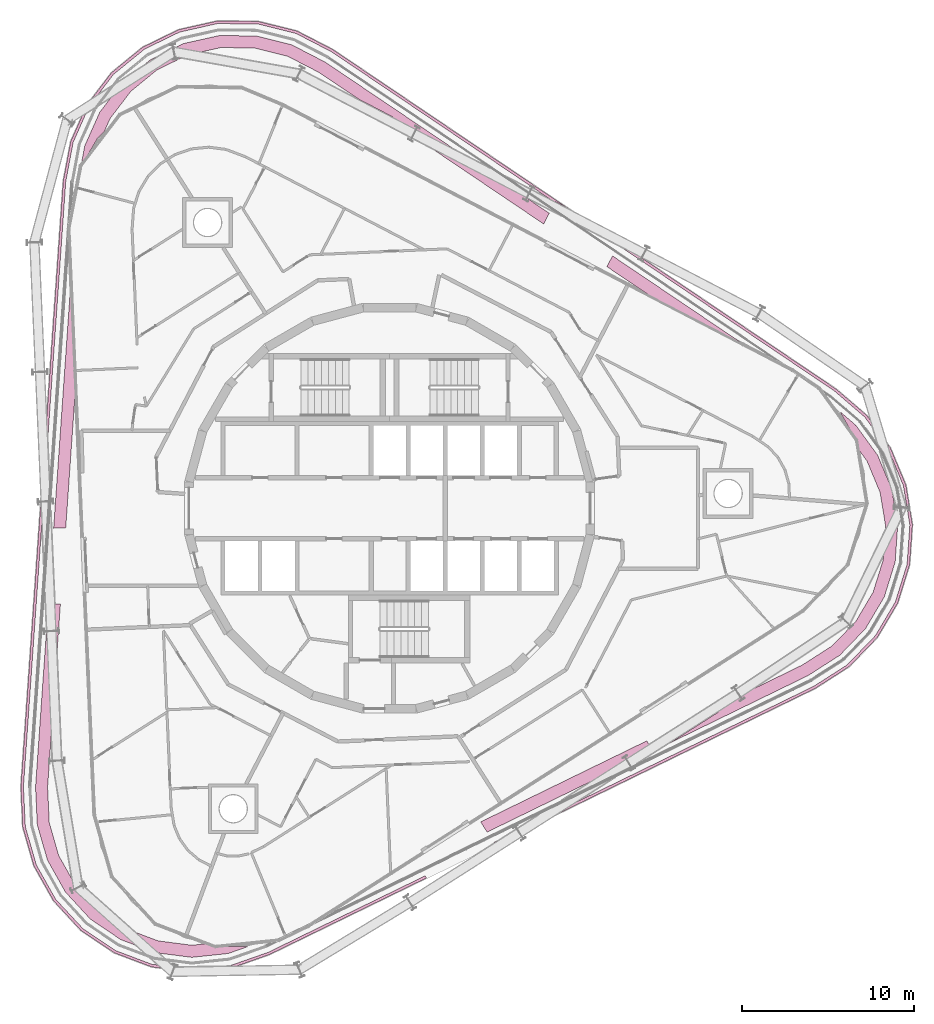
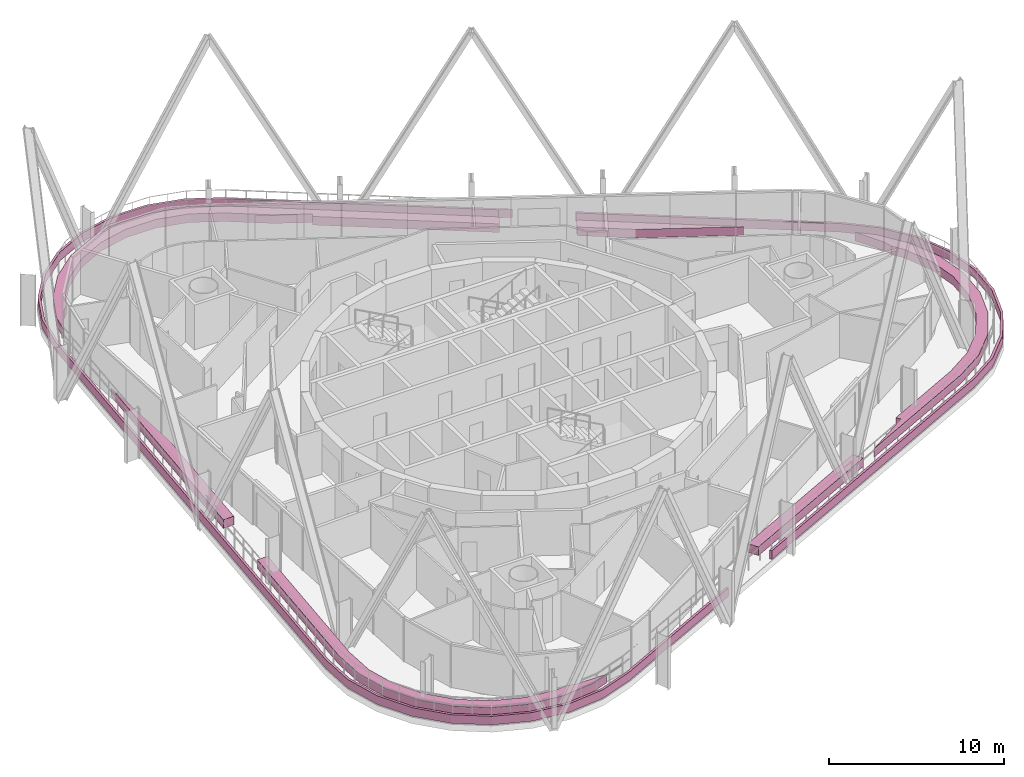
# One storey, part 20 of 20: 8 furniture elements.
"""IFC4 building model written with IfcOpenShell, lengths in metres."""

import ifcopenshell
import ifcopenshell.guid

model = None  # the IFC model being written
_history = None  # IfcOwnerHistory: only IFC2X3 demands one
_inside = {}  # id of a spatial element -> (the spatial element, [elements in it])
_under = {}  # id of a project, library or spatial element -> (it, [spatial elements below it])
_declared = {}  # id of a project -> (the project, [libraries it declares])
_typed = {}  # id of a type object -> (the type object, [elements of that type])
_made_of = {}  # id of a material, layer set ... -> (it, [elements and type objects made of it])


def new_model(schema):
    """Start an empty IFC model of exactly this schema.

    Asked for "IFC4X3", IfcOpenShell would pick the latest addendum, in which some entities
    have other attributes; the version numbers below select the first issue.
    IFC2X3 requires an IfcOwnerHistory on every rooted entity: one is made here for all.
    """
    global model, _history
    if schema == "IFC4X3":
        model = ifcopenshell.file(schema_version=(4, 3, 0, 0))
    else:
        model = ifcopenshell.file(schema=schema)
    _inside.clear()
    _under.clear()
    _declared.clear()
    _typed.clear()
    _made_of.clear()
    _history = None
    if model.schema == "IFC2X3":
        org = make("IfcOrganization", Name="unknown")
        user = make(
            "IfcPersonAndOrganization",
            ThePerson=make("IfcPerson", FamilyName="unknown"),
            TheOrganization=org,
        )
        app = make(
            "IfcApplication",
            ApplicationDeveloper=org,
            Version="unknown",
            ApplicationFullName="unknown",
            ApplicationIdentifier="unknown",
        )
        _history = make(
            "IfcOwnerHistory",
            OwningUser=user,
            OwningApplication=app,
            ChangeAction="ADDED",
            CreationDate=0,
        )
    return model


def make(cls, **values):
    """One entity of the class cls with the attributes given. An attribute that is None is left unset."""
    return model.create_entity(
        cls, **{name: value for name, value in values.items() if value is not None}
    )


def rooted(cls, **values):
    """An entity with a GlobalId (a new one), such as an element, a storey or a relation."""
    return make(cls, GlobalId=ifcopenshell.guid.new(), OwnerHistory=_history, **values)


def si_unit(unit_type, name, prefix=None):
    """IfcSIUnit, for example si_unit("LENGTHUNIT", "METRE", prefix="MILLI")."""
    return make("IfcSIUnit", UnitType=unit_type, Prefix=prefix, Name=name)


def assignment(units):
    """IfcUnitAssignment: the units of a project."""
    return None if units is None else make("IfcUnitAssignment", Units=units)


def point(xyz):
    """IfcCartesianPoint."""
    return None if xyz is None else make("IfcCartesianPoint", Coordinates=xyz)


def direction(xyz):
    """IfcDirection."""
    return None if xyz is None else make("IfcDirection", DirectionRatios=xyz)


def frame(location, z_axis=None, x_axis=None):
    """IfcAxis2Placement3D, a coordinate frame: its origin and axes. An axis left out is left unset."""
    return make(
        "IfcAxis2Placement3D",
        Location=point(location),
        Axis=direction(z_axis),
        RefDirection=direction(x_axis),
    )


def origin():
    """The frame at (0, 0, 0) with its axes left unset."""
    return frame((0.0, 0.0, 0.0))


def place(relative_to, where):
    """IfcLocalPlacement: puts the frame where relative to a parent placement (None: the world)."""
    return make(
        "IfcLocalPlacement", PlacementRelTo=relative_to, RelativePlacement=where
    )


def context(
    kind, dimensions, precision=None, world=None, true_north=None, identifier=None
):
    """IfcGeometricRepresentationContext, for example the 3D "Model" context."""
    return make(
        "IfcGeometricRepresentationContext",
        ContextIdentifier=identifier,
        ContextType=kind,
        CoordinateSpaceDimension=dimensions,
        Precision=precision,
        WorldCoordinateSystem=world,
        TrueNorth=true_north,
    )


def subcontext(parent, identifier, kind, view, scale=None):
    """IfcGeometricRepresentationSubContext, for example "Body" below "Model"."""
    return make(
        "IfcGeometricRepresentationSubContext",
        ContextIdentifier=identifier,
        ContextType=kind,
        ParentContext=parent,
        TargetScale=scale,
        TargetView=view,
    )


def project(units=None, contexts=None):
    """IfcProject with its units and contexts."""
    return rooted(
        "IfcProject",
        Name="project",
        RepresentationContexts=contexts,
        UnitsInContext=assignment(units),
    )


def spatial(cls, under=None, at=None, **own):
    """A site, building, storey or space (cls), placed at a placement, below another one or the project."""
    s = rooted(cls, ObjectPlacement=at, **own)
    if under is not None:
        _under.setdefault(under.id(), (under, []))[1].append(s)
    return s


def polyline(points):
    """IfcPolyline through the points."""
    return make("IfcPolyline", Points=[point(p) for p in points])


def outline(outer, holes=None, kind="AREA"):
    """IfcArbitraryClosedProfileDef: a profile drawn as a closed curve; with holes, ...WithVoids."""
    if holes is None:
        return make("IfcArbitraryClosedProfileDef", ProfileType=kind, OuterCurve=outer)
    return make(
        "IfcArbitraryProfileDefWithVoids",
        ProfileType=kind,
        OuterCurve=outer,
        InnerCurves=holes,
    )


def extrude(swept, where, along, depth):
    """IfcExtrudedAreaSolid: the profile swept, set in the frame where, extruded along a direction by depth."""
    return make(
        "IfcExtrudedAreaSolid",
        SweptArea=swept,
        Position=where,
        ExtrudedDirection=direction(along),
        Depth=depth,
    )


def shape(context_of_items, identifier, shape_type, items):
    """IfcShapeRepresentation: the items that make up one representation, for example the "Body"."""
    return make(
        "IfcShapeRepresentation",
        ContextOfItems=context_of_items,
        RepresentationIdentifier=identifier,
        RepresentationType=shape_type,
        Items=items,
    )


def made_of(thing, what):
    """Note that an element or type object is made of a material, layer set ...; save() writes the relation."""
    if what is not None:
        _made_of.setdefault(what.id(), (what, []))[1].append(thing)
    return thing


def element(
    cls,
    number,
    at=None,
    inside=None,
    cuts=None,
    type_object=None,
    material=None,
    context=None,
    identifier="Body",
    shape_type=None,
    held_by="IfcProductDefinitionShape",
    body=None,
    shapes=None,
    **own,
):
    """One element of the class cls, such as IfcWall. Its Tag is "e" and its number.

    at: its placement. inside: the storey or other place that contains it. cuts: it is an
    opening in that element (IfcRelVoidsElement). A single representation is given by context,
    identifier, shape_type and body (its items); several are given by shapes. held_by: the class
    of the entity that holds the representations. save() writes the other relations.
    """
    e = rooted(cls, Tag="e%d" % number, ObjectPlacement=at, **own)
    if body is not None:
        shapes = [shape(context, identifier, shape_type, body)]
    if shapes is not None:
        e.Representation = make(held_by, Representations=shapes)
    if inside is not None:
        _inside.setdefault(inside.id(), (inside, []))[1].append(e)
    if cuts is not None:
        rooted(
            "IfcRelVoidsElement", RelatingBuildingElement=cuts, RelatedOpeningElement=e
        )
    if type_object is not None:
        _typed.setdefault(type_object.id(), (type_object, []))[1].append(e)
    return made_of(e, material)


def aggregate(whole, parts):
    """IfcRelAggregates: a whole, such as a stair, and the parts it consists of."""
    return rooted("IfcRelAggregates", RelatingObject=whole, RelatedObjects=parts)


def save(model, path):
    """Write the relations noted so far, then the file.

    IfcRelAggregates (storeys below a building ...), IfcRelContainedInSpatialStructure (elements
    in a storey), IfcRelDefinesByType, IfcRelAssociatesMaterial and IfcRelDeclares: one each for
    every whole, place, type object, material and project.
    """
    for whole, parts in _under.values():
        aggregate(whole, parts)
    for where, things in _inside.values():
        rooted(
            "IfcRelContainedInSpatialStructure",
            RelatedElements=things,
            RelatingStructure=where,
        )
    for kind, things in _typed.values():
        rooted("IfcRelDefinesByType", RelatedObjects=things, RelatingType=kind)
    for what, things in _made_of.values():
        rooted("IfcRelAssociatesMaterial", RelatedObjects=things, RelatingMaterial=what)
    for by, libraries in _declared.values():
        rooted("IfcRelDeclares", RelatingContext=by, RelatedDefinitions=libraries)
    model.write(path)


model = new_model("IFC4")

# Units and contexts
model_context = context("Model", 3, precision=1e-05, world=origin(), true_north=direction((0.0, 1.0)))
body_context = subcontext(model_context, "Body", "Model", "MODEL_VIEW")
ifc_project = project(units=[si_unit("LENGTHUNIT", "METRE"), si_unit("AREAUNIT", "SQUARE_METRE"), si_unit("VOLUMEUNIT", "CUBIC_METRE"), si_unit("PLANEANGLEUNIT", "RADIAN"), si_unit("MASSUNIT", "GRAM", prefix="KILO")], contexts=[model_context])

# Site, building, storey
site_placement = place(None, origin())
site = spatial("IfcSite", under=ifc_project, at=site_placement, CompositionType="ELEMENT")
building_placement = place(site_placement, origin())
building = spatial("IfcBuilding", under=site, at=building_placement, Name="Spindle Arch Residences", CompositionType="ELEMENT")
storey_placement = place(building_placement, frame((0.0, 0.0, 226.699951171875)))
storey = spatial("IfcBuildingStorey", under=building, at=storey_placement, Name="L57", CompositionType="ELEMENT", Elevation=226.699951171875)

# Furniture
furniture_1_placement = place(storey_placement, frame((0.0, 0.0, 0.030029296875)))
element("IfcFurniture", 1, at=furniture_1_placement, inside=storey, Name="PLANTER L56 1", ObjectType="PLANTER", PredefinedType="USERDEFINED", context=body_context, shape_type="SweptSolid", body=[
    extrude(outline(polyline([(-11.5029296875, -26.929443359375), (-13.817138671875, -26.631591796875), (-16.00048828125, -25.80810546875), (-17.93505859375, -24.503173828125), (-19.516357421875, -22.78759765625), (-20.659423828125, -20.753173828125), (-21.302734375, -18.51025390625), (-21.411376953125, -16.176513671875), (-18.95166015625, 18.9990234375), (-18.519287109375, 21.294921875), (-17.570068359375, 23.426513671875), (-16.155029296875, 25.281982421875), (-14.35009765625, 26.760986328125), (-12.2529296875, 27.78369140625), (-9.976318359375, 28.29541015625), (-7.64306640625, 28.268310546875), (-5.379150390625, 27.703857421875), (-3.3037109375, 26.631103515625), (10.334228515625, 17.43212890625), (9.6181640625, 17.804931640625), (9.5908203125, 17.752685546875), (-3.36572265625, 26.491943359375), (-5.430419921875, 27.55908203125), (-7.62548828125, 28.109130859375), (-10.00048828125, 28.13623046875), (-12.204833984375, 27.637939453125), (-14.23193359375, 26.651611328125), (-16.04248046875, 25.17724609375), (-17.45556640625, 23.314697265625), (-18.37353515625, 21.246337890625), (-18.803955078125, 18.95947265625), (-21.259765625, -16.157958984375), (-21.151611328125, -18.482421875), (-20.5166015625, -20.69677734375), (-19.390380859375, -22.69970703125), (-17.802734375, -24.41162109375), (-15.927490234375, -25.673095703125), (-13.819091796875, -26.470703125), (-11.504150390625, -26.77587890625), (-9.21875, -26.536376953125), (-7.05224609375, -25.779052734375), (2.057373046875, -21.33837890625), (2.138427734375, -21.4658203125), (-6.977783203125, -25.912109375), (-9.182373046875, -26.685546875), (-11.5029296875, -26.929443359375)])), origin(), (0.0, 0.0, 1.0), 0.60009765625),
])
furniture_2_placement = place(storey_placement, frame((0.0, 0.0, 0.030029296875)))
element("IfcFurniture", 2, at=furniture_2_placement, inside=storey, Name="PLANTER L56 2", ObjectType="PLANTER", PredefinedType="USERDEFINED", context=body_context, shape_type="SweptSolid", body=[
    extrude(outline(polyline([(25.929443359375, 6.9130859375), (27.701416015625, 5.390625), (29.072998046875, 3.5029296875), (29.97216796875, 1.349609375), (30.3505859375, -0.952880859375), (30.18798828125, -3.280517578125), (29.49267578125, -5.5078125), (28.302734375, -7.514892578125), (26.681640625, -9.193359375), (24.71484375, -10.45458984375), (6.11865234375, -19.5244140625), (6.03759765625, -19.397216796875), (24.623046875, -10.33251953125), (26.551513671875, -9.0986328125), (28.203369140625, -7.38818359375), (29.353759765625, -5.44287109375), (30.03662109375, -3.2548828125), (30.197509765625, -0.962890625), (29.825439453125, 1.3046875), (28.940673828125, 3.425048828125), (27.590576171875, 5.284423828125), (25.8212890625, 6.804931640625), (13.26220703125, 15.276123046875), (13.33203125, 15.41015625), (25.929443359375, 6.9130859375)])), origin(), (0.0, 0.0, 1.0), 0.60009765625),
])
furniture_3_placement = place(storey_placement, frame((0.0, 0.0, 0.030029296875)))
element("IfcFurniture", 3, at=furniture_3_placement, inside=storey, Name="PLANTER L56 3", ObjectType="PLANTER", PredefinedType="USERDEFINED", context=body_context, shape_type="SweptSolid", body=[
    extrude(outline(polyline([(27.087158203125, 3.9384765625), (26.136474609375, 5.614501953125), (27.072265625, 4.810546875), (28.326904296875, 3.083740234375), (29.149658203125, 1.11376953125), (29.495849609375, -0.99267578125), (29.346923828125, -3.1220703125), (28.7109375, -5.159912109375), (27.6220703125, -6.99609375), (26.13916015625, -8.531494140625), (24.2978515625, -9.712158203125), (16.26220703125, -13.63134765625), (19.078125, -11.83740234375), (18.904052734375, -11.564208984375), (23.95166015625, -9.102294921875), (25.687744140625, -7.989501953125), (27.064697265625, -6.5634765625), (28.06689453125, -4.873046875), (28.652587890625, -2.997314453125), (28.79150390625, -1.025390625), (28.471923828125, 0.91943359375), (27.71240234375, 2.73828125), (27.24560546875, 3.381103515625), (27.087158203125, 3.9384765625)])), origin(), (0.0, 0.0, 1.0), 0.60009765625),
])
furniture_4_placement = place(storey_placement, frame((0.0, 0.0, 0.030029296875)))
element("IfcFurniture", 4, at=furniture_4_placement, inside=storey, Name="PLANTER L56 4", ObjectType="PLANTER", PredefinedType="USERDEFINED", context=body_context, shape_type="SweptSolid", body=[
    extrude(outline(polyline([(5.658935546875, -18.802978515625), (5.280517578125, -18.208740234375), (14.923828125, -13.50537109375), (15.30224609375, -14.099609375), (5.658935546875, -18.802978515625)])), origin(), (0.0, 0.0, 1.0), 0.60009765625),
])
furniture_5_placement = place(storey_placement, frame((0.0, 0.0, 0.030029296875)))
element("IfcFurniture", 5, at=furniture_5_placement, inside=storey, Name="PLANTER L56 5", ObjectType="PLANTER", PredefinedType="USERDEFINED", context=body_context, shape_type="SweptSolid", body=[
    extrude(outline(polyline([(12.611572265625, 14.0263671875), (12.93701171875, 14.6513671875), (20.884033203125, 9.291015625), (15.399169921875, 12.146240234375), (12.611572265625, 14.0263671875)])), origin(), (0.0, 0.0, 1.0), 0.60009765625),
])
furniture_6_placement = place(storey_placement, frame((0.0, 0.0, 0.030029296875)))
element("IfcFurniture", 6, at=furniture_6_placement, inside=storey, Name="PLANTER L56 6", ObjectType="PLANTER", PredefinedType="USERDEFINED", context=body_context, shape_type="SweptSolid", body=[
    extrude(outline(polyline([(0.04541015625, 22.50244140625), (0.16259765625, 22.727294921875), (-1.810791015625, 23.754638671875), (-4.093017578125, 25.2939453125), (-5.929931640625, 26.243408203125), (-7.84228515625, 26.72021484375), (-9.813232421875, 26.7431640625), (-11.74169921875, 26.30859375), (-13.5078125, 25.44677734375), (-15.02783203125, 24.20166015625), (-16.2275390625, 22.63037109375), (-16.551025390625, 21.905029296875), (-16.957763671875, 21.484130859375), (-17.9306640625, 19.82763671875), (-17.7021484375, 21.0400390625), (-16.833984375, 22.989990234375), (-15.539306640625, 24.6875), (-13.88818359375, 26.04052734375), (-11.9697265625, 26.976318359375), (-9.886962890625, 27.4443359375), (-7.75244140625, 27.41943359375), (-5.68115234375, 26.903076171875), (-3.73779296875, 25.898681640625), (9.265625, 17.127685546875), (8.9404296875, 16.502685546875), (0.04541015625, 22.50244140625)])), origin(), (0.0, 0.0, 1.0), 0.60009765625),
])
furniture_7_placement = place(storey_placement, frame((0.0, 0.0, 0.030029296875)))
element("IfcFurniture", 7, at=furniture_7_placement, inside=storey, Name="PLANTER L56 7", ObjectType="PLANTER", PredefinedType="USERDEFINED", context=body_context, shape_type="SweptSolid", body=[
    extrude(outline(polyline([(-18.805419921875, -1.13134765625), (-19.50927734375, -1.162109375), (-18.48828125, 13.440673828125), (-18.218505859375, 7.262939453125), (-18.805419921875, -1.13134765625)])), origin(), (0.0, 0.0, 1.0), 0.60009765625),
])
furniture_8_placement = place(storey_placement, frame((0.0, 0.0, 0.030029296875)))
element("IfcFurniture", 8, at=furniture_8_placement, inside=storey, Name="PLANTER L56 8", ObjectType="PLANTER", PredefinedType="USERDEFINED", context=body_context, shape_type="SweptSolid", body=[
    extrude(outline(polyline([(-19.858642578125, -16.191650390625), (-19.762451171875, -18.257080078125), (-19.21923828125, -20.15185546875), (-18.253662109375, -21.8701171875), (-16.917724609375, -23.3193359375), (-15.28369140625, -24.42138671875), (-13.439697265625, -25.1171875), (-11.48486328125, -25.36865234375), (-10.69482421875, -25.285888671875), (-10.126953125, -25.427978515625), (-8.2060546875, -25.442138671875), (-9.3701171875, -25.8505859375), (-11.492919921875, -26.07373046875), (-13.610107421875, -25.80126953125), (-15.607421875, -25.0478515625), (-17.377197265625, -23.854248046875), (-18.823974609375, -22.284423828125), (-19.869873046875, -20.423583984375), (-20.458251953125, -18.37158203125), (-20.56005859375, -16.1865234375), (-19.818359375, -5.579833984375), (-19.114501953125, -5.549072265625), (-19.858642578125, -16.191650390625)])), origin(), (0.0, 0.0, 1.0), 0.60009765625),
])

save(model, "model.ifc")
